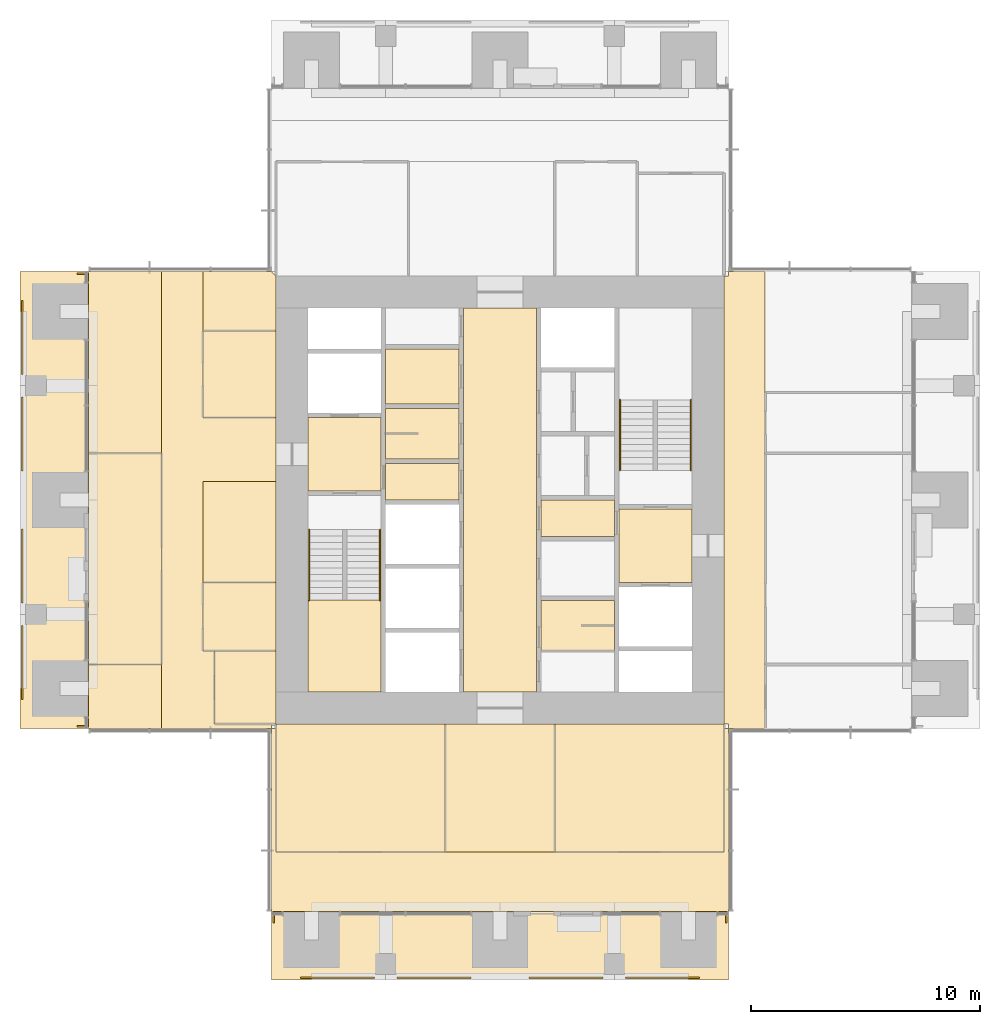
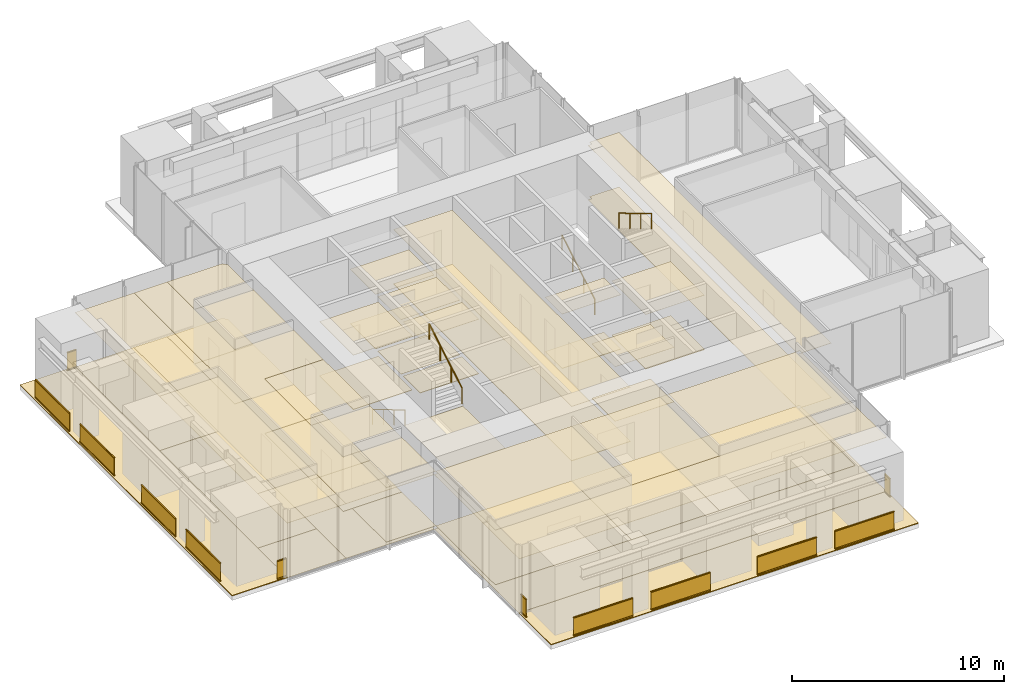
# One storey, part 15 of 17: 47 coverings, 16 railings.
"""IFC4 building model written with IfcOpenShell, lengths in metres."""

from ifc_helpers import new_model, si_unit, direction, frame, origin, origin_2d, place, context, subcontext, project, spatial, polyline, rectangle, circle, outline, extrude, material, layer, layer_set, type_object, element, save


model = new_model("IFC4")

# Units and contexts
model_context = context("Model", 3, precision=1e-05, world=origin(), true_north=direction((0.0, 1.0)))
body_context = subcontext(model_context, "Body", "Model", "MODEL_VIEW")
ifc_project = project(units=[si_unit("LENGTHUNIT", "METRE"), si_unit("AREAUNIT", "SQUARE_METRE"), si_unit("VOLUMEUNIT", "CUBIC_METRE"), si_unit("PLANEANGLEUNIT", "RADIAN"), si_unit("MASSUNIT", "GRAM", prefix="KILO")], contexts=[model_context])

# Site, building, storey
site_placement = place(None, origin())
site = spatial("IfcSite", under=ifc_project, at=site_placement, CompositionType="ELEMENT")
building_placement = place(site_placement, origin())
building = spatial("IfcBuilding", under=site, at=building_placement, Name="Svetlomir Tower", CompositionType="ELEMENT")
storey_placement = place(building_placement, frame((0.0, 0.0, 210.5)))
storey = spatial("IfcBuildingStorey", under=building, at=storey_placement, Name="L50", CompositionType="ELEMENT", Elevation=210.5)

# Railings
ifc_material_1 = material(Name="Bronze anodised aluminium and laminated glass", Category="aluminium")
railing_type_1 = type_object("IfcRailingType", Name="BALCONY GUARD GR1 1100", PredefinedType="GUARDRAIL", material=ifc_material_1)
for number, where, name in (
    (1, (12.27490234375, 0.10009765625, 0.0), "Loggia guard S L50 bay 1"),
    (2, (16.5, 0.10009765625, 0.0), "Loggia guard S L50 bay 2"),
    (3, (22.27490234375, 0.10009765625, 0.0), "Loggia guard S L50 bay 3"),
    (4, (26.5, 0.10009765625, 0.0), "Loggia guard S L50 bay 4"),
):
    element("IfcRailing", number, at=place(storey_placement, frame(where)), inside=storey, type_object=railing_type_1, Name=name, PredefinedType="GUARDRAIL", context=body_context, shape_type="SweptSolid", body=[
        extrude(rectangle(XDim=0.06005859375, YDim=0.10009765625, at=origin_2d()), frame((0.0, 0.0, 0.050048828125), z_axis=(1.0, 0.0, 0.0), x_axis=(0.0, 1.0, 0.0)), (0.0, 0.0, 1.0), 3.22509765625),
        extrude(rectangle(XDim=0.021484375, YDim=0.960205078125, at=origin_2d()), frame((0.0, 0.0, 0.580078125), z_axis=(1.0, 0.0, 0.0), x_axis=(0.0, 1.0, 0.0)), (0.0, 0.0, 1.0), 3.22509765625),
        extrude(rectangle(XDim=0.06005859375, YDim=0.0400390625, at=origin_2d()), frame((0.0, 0.0, 1.080078125), z_axis=(1.0, 0.0, 0.0), x_axis=(0.0, 1.0, 0.0)), (0.0, 0.0, 1.0), 3.22509765625),
    ])
for number, where, name in (
    (5, (11.10009765625, 2.5, 0.0), "Loggia guard S L50 end 1"),
    (6, (30.89990234375, 2.5, 0.0), "Loggia guard S L50 end 2"),
):
    element("IfcRailing", number, at=place(storey_placement, frame(where)), inside=storey, type_object=railing_type_1, Name=name, PredefinedType="GUARDRAIL", context=body_context, shape_type="SweptSolid", body=[
        extrude(rectangle(XDim=0.06005859375, YDim=0.10009765625, at=origin_2d()), frame((0.0, 0.0, 0.050048828125), z_axis=(0.0, 1.0, 0.0), x_axis=(-1.0, 0.0, 0.0)), (0.0, 0.0, 1.0), 0.5),
        extrude(rectangle(XDim=0.021484375, YDim=0.960205078125, at=origin_2d()), frame((0.0, 0.0, 0.580078125), z_axis=(0.0, 1.0, 0.0), x_axis=(-1.0, 0.0, 0.0)), (0.0, 0.0, 1.0), 0.5),
        extrude(rectangle(XDim=0.06005859375, YDim=0.0400390625, at=origin_2d()), frame((0.0, 0.0, 1.080078125), z_axis=(0.0, 1.0, 0.0), x_axis=(-1.0, 0.0, 0.0)), (0.0, 0.0, 1.0), 0.5),
    ])
for number, where, name in (
    (7, (0.10009765625, 12.27490234375, 0.0), "Loggia guard W L50 bay 1"),
    (8, (0.10009765625, 16.5, 0.0), "Loggia guard W L50 bay 2"),
    (9, (0.10009765625, 22.27490234375, 0.0), "Loggia guard W L50 bay 3"),
    (10, (0.10009765625, 26.5, 0.0), "Loggia guard W L50 bay 4"),
):
    element("IfcRailing", number, at=place(storey_placement, frame(where)), inside=storey, type_object=railing_type_1, Name=name, PredefinedType="GUARDRAIL", context=body_context, shape_type="SweptSolid", body=[
        extrude(rectangle(XDim=0.06005859375, YDim=0.10009765625, at=origin_2d()), frame((0.0, 0.0, 0.050048828125), z_axis=(0.0, 1.0, 0.0), x_axis=(-1.0, 0.0, 0.0)), (0.0, 0.0, 1.0), 3.22509765625),
        extrude(rectangle(XDim=0.021484375, YDim=0.960205078125, at=origin_2d()), frame((0.0, 0.0, 0.580078125), z_axis=(0.0, 1.0, 0.0), x_axis=(-1.0, 0.0, 0.0)), (0.0, 0.0, 1.0), 3.22509765625),
        extrude(rectangle(XDim=0.06005859375, YDim=0.0400390625, at=origin_2d()), frame((0.0, 0.0, 1.080078125), z_axis=(0.0, 1.0, 0.0), x_axis=(-1.0, 0.0, 0.0)), (0.0, 0.0, 1.0), 3.22509765625),
    ])
for number, where, name in (
    (11, (2.5, 11.10009765625, 0.0), "Loggia guard W L50 end 1"),
    (12, (2.5, 30.89990234375, 0.0), "Loggia guard W L50 end 2"),
):
    element("IfcRailing", number, at=place(storey_placement, frame(where)), inside=storey, type_object=railing_type_1, Name=name, PredefinedType="GUARDRAIL", context=body_context, shape_type="SweptSolid", body=[
        extrude(rectangle(XDim=0.06005859375, YDim=0.10009765625, at=origin_2d()), frame((0.0, 0.0, 0.050048828125), z_axis=(1.0, 0.0, 0.0), x_axis=(0.0, 1.0, 0.0)), (0.0, 0.0, 1.0), 0.5),
        extrude(rectangle(XDim=0.021484375, YDim=0.960205078125, at=origin_2d()), frame((0.0, 0.0, 0.580078125), z_axis=(1.0, 0.0, 0.0), x_axis=(0.0, 1.0, 0.0)), (0.0, 0.0, 1.0), 0.5),
        extrude(rectangle(XDim=0.06005859375, YDim=0.0400390625, at=origin_2d()), frame((0.0, 0.0, 1.080078125), z_axis=(1.0, 0.0, 0.0), x_axis=(0.0, 1.0, 0.0)), (0.0, 0.0, 1.0), 0.5),
    ])

# Coverings
ifc_material_2 = material(Name="Granite paving slabs on pedestals", Category="masonry")
ifc_layer_1 = layer(ifc_material_2, 0.0400390625)
ifc_layer_set_1 = layer_set([ifc_layer_1], Name="Granite paving slabs on pedestals")
covering_type_1 = type_object("IfcCoveringType", Name="BALCONY PAVING 40", PredefinedType="USERDEFINED", material=ifc_layer_set_1)
covering_1_placement = place(storey_placement, origin())
element("IfcCovering", 13, at=covering_1_placement, inside=storey, type_object=covering_type_1, Name="Loggia paving S L50", ObjectType="BALCONY PAVING", PredefinedType="USERDEFINED", context=body_context, shape_type="SweptSolid", body=[
    extrude(outline(polyline([(11.0, 0.0), (31.0, 0.0), (31.0, 3.0), (11.0, 3.0), (11.0, 0.0)])), origin(), (0.0, 0.0, 1.0), 0.0400390625),
])
covering_2_placement = place(storey_placement, origin())
element("IfcCovering", 14, at=covering_2_placement, inside=storey, type_object=covering_type_1, Name="Loggia paving W L50", ObjectType="BALCONY PAVING", PredefinedType="USERDEFINED", context=body_context, shape_type="SweptSolid", body=[
    extrude(outline(polyline([(0.0, 11.0), (3.0, 11.0), (3.0, 31.0), (0.0, 31.0), (0.0, 11.0)])), origin(), (0.0, 0.0, 1.0), 0.0400390625),
])
ifc_material_3 = material(Name="Carpet tile", Category="textile")
ifc_layer_2 = layer(ifc_material_3, 0.010009765625)
ifc_layer_set_2 = layer_set([ifc_layer_2], Name="Carpet tile")
covering_type_2 = type_object("IfcCoveringType", Name="CARPET TILE FLOOR 10", PredefinedType="FLOORING", material=ifc_layer_set_2)
covering_3_placement = place(storey_placement, origin())
element("IfcCovering", 15, at=covering_3_placement, inside=storey, type_object=covering_type_2, Name="Floor finish L50-18", PredefinedType="FLOORING", context=body_context, shape_type="SweptSolid", body=[
    extrude(outline(polyline([(11.199951171875, 5.60009765625), (18.60009765625, 5.60009765625), (18.60009765625, 11.199951171875), (11.199951171875, 11.199951171875), (11.199951171875, 5.60009765625)])), origin(), (0.0, 0.0, 1.0), 0.010009765625),
])
covering_4_placement = place(storey_placement, origin())
element("IfcCovering", 16, at=covering_4_placement, inside=storey, type_object=covering_type_2, Name="Floor finish L50-19", PredefinedType="FLOORING", context=body_context, shape_type="SweptSolid", body=[
    extrude(outline(polyline([(23.39990234375, 5.60009765625), (30.800048828125, 5.60009765625), (30.800048828125, 11.199951171875), (23.39990234375, 11.199951171875), (23.39990234375, 5.60009765625)])), origin(), (0.0, 0.0, 1.0), 0.010009765625),
])
covering_5_placement = place(storey_placement, origin())
element("IfcCovering", 17, at=covering_5_placement, inside=storey, type_object=covering_type_2, Name="Floor finish L50-26", PredefinedType="FLOORING", context=body_context, shape_type="SweptSolid", body=[
    extrude(outline(polyline([(8.5, 11.199951171875), (11.199951171875, 11.199951171875), (11.199951171875, 14.39990234375), (8.5, 14.39990234375), (8.5, 11.199951171875)])), origin(), (0.0, 0.0, 1.0), 0.010009765625),
])
covering_6_placement = place(storey_placement, origin())
element("IfcCovering", 18, at=covering_6_placement, inside=storey, type_object=covering_type_2, Name="Floor finish L50-27", PredefinedType="FLOORING", context=body_context, shape_type="SweptSolid", body=[
    extrude(outline(polyline([(8.0, 14.39990234375), (11.199951171875, 14.39990234375), (11.199951171875, 17.39990234375), (8.0, 17.39990234375), (8.0, 14.39990234375)])), origin(), (0.0, 0.0, 1.0), 0.010009765625),
])
covering_7_placement = place(storey_placement, origin())
element("IfcCovering", 19, at=covering_7_placement, inside=storey, type_object=covering_type_2, Name="Floor finish L50-28", PredefinedType="FLOORING", context=body_context, shape_type="SweptSolid", body=[
    extrude(outline(polyline([(8.0, 24.60009765625), (11.199951171875, 24.60009765625), (11.199951171875, 28.39990234375), (8.0, 28.39990234375), (8.0, 24.60009765625)])), origin(), (0.0, 0.0, 1.0), 0.010009765625),
])
covering_8_placement = place(storey_placement, origin())
element("IfcCovering", 20, at=covering_8_placement, inside=storey, type_object=covering_type_2, Name="Floor finish L50-29", PredefinedType="FLOORING", context=body_context, shape_type="SweptSolid", body=[
    extrude(outline(polyline([(3.0, 13.800048828125), (6.199951171875, 13.800048828125), (6.199951171875, 23.050048828125), (3.0, 23.050048828125), (3.0, 13.800048828125)])), origin(), (0.0, 0.0, 1.0), 0.010009765625),
])
covering_9_placement = place(storey_placement, origin())
element("IfcCovering", 21, at=covering_9_placement, inside=storey, type_object=covering_type_2, Name="Floor finish L50-30", PredefinedType="FLOORING", context=body_context, shape_type="SweptSolid", body=[
    extrude(outline(polyline([(6.199951171875, 11.0), (6.199951171875, 31.0), (8.0, 31.0), (8.0, 24.60009765625), (11.199951171875, 24.60009765625), (11.199951171875, 21.800048828125), (8.0, 21.800048828125), (8.0, 14.39990234375), (8.5, 14.39990234375), (8.5, 11.199951171875), (11.0, 11.199951171875), (11.0, 11.0), (6.199951171875, 11.0)])), origin(), (0.0, 0.0, 1.0), 0.010009765625),
])
covering_10_placement = place(storey_placement, origin())
element("IfcCovering", 22, at=covering_10_placement, inside=storey, type_object=covering_type_2, Name="Floor finish L50-31", PredefinedType="FLOORING", context=body_context, shape_type="SweptSolid", body=[
    extrude(outline(polyline([(11.199951171875, 5.60009765625), (30.800048828125, 5.60009765625), (30.800048828125, 11.0), (31.0, 11.0), (31.0, 3.0), (11.0, 3.0), (11.0, 11.0), (11.199951171875, 11.0), (11.199951171875, 5.60009765625)])), origin(), (0.0, 0.0, 1.0), 0.010009765625),
])
covering_11_placement = place(storey_placement, origin())
element("IfcCovering", 23, at=covering_11_placement, inside=storey, type_object=covering_type_2, Name="Floor finish L50-32", PredefinedType="FLOORING", context=body_context, shape_type="SweptSolid", body=[
    extrude(outline(polyline([(30.800048828125, 11.199951171875), (30.800048828125, 30.800048828125), (31.0, 30.800048828125), (31.0, 31.0), (32.60009765625, 31.0), (32.60009765625, 11.0), (31.0, 11.0), (31.0, 11.199951171875), (30.800048828125, 11.199951171875)])), origin(), (0.0, 0.0, 1.0), 0.010009765625),
])
covering_12_placement = place(storey_placement, origin())
element("IfcCovering", 24, at=covering_12_placement, inside=storey, type_object=covering_type_2, Name="Floor finish L50-34", PredefinedType="FLOORING", context=body_context, shape_type="SweptSolid", body=[
    extrude(outline(polyline([(23.39990234375, 11.199951171875), (23.39990234375, 5.60009765625), (18.60009765625, 5.60009765625), (18.60009765625, 11.199951171875), (23.39990234375, 11.199951171875)])), origin(), (0.0, 0.0, 1.0), 0.010009765625),
])
covering_13_placement = place(storey_placement, origin())
element("IfcCovering", 25, at=covering_13_placement, inside=storey, type_object=covering_type_2, Name="Floor finish L50-38", PredefinedType="FLOORING", context=body_context, shape_type="SweptSolid", body=[
    extrude(outline(polyline([(3.0, 13.800048828125), (6.199951171875, 13.800048828125), (6.199951171875, 11.0), (3.0, 11.0), (3.0, 13.800048828125)])), origin(), (0.0, 0.0, 1.0), 0.010009765625),
])
covering_14_placement = place(storey_placement, origin())
element("IfcCovering", 26, at=covering_14_placement, inside=storey, type_object=covering_type_2, Name="Floor finish L50-39", PredefinedType="FLOORING", context=body_context, shape_type="SweptSolid", body=[
    extrude(outline(polyline([(3.0, 31.0), (6.199951171875, 31.0), (6.199951171875, 23.050048828125), (3.0, 23.050048828125), (3.0, 31.0)])), origin(), (0.0, 0.0, 1.0), 0.010009765625),
])
covering_15_placement = place(storey_placement, origin())
element("IfcCovering", 27, at=covering_15_placement, inside=storey, type_object=covering_type_2, Name="Floor finish L50-40", PredefinedType="FLOORING", context=body_context, shape_type="SweptSolid", body=[
    extrude(outline(polyline([(11.199951171875, 28.39990234375), (8.0, 28.39990234375), (8.0, 31.0), (11.0, 31.0), (11.199951171875, 30.800048828125), (11.199951171875, 28.39990234375)])), origin(), (0.0, 0.0, 1.0), 0.010009765625),
])
covering_16_placement = place(storey_placement, origin())
element("IfcCovering", 28, at=covering_16_placement, inside=storey, type_object=covering_type_2, Name="Floor finish L50-41", PredefinedType="FLOORING", context=body_context, shape_type="SweptSolid", body=[
    extrude(outline(polyline([(8.0, 17.39990234375), (8.0, 21.800048828125), (11.199951171875, 21.800048828125), (11.199951171875, 17.39990234375), (8.0, 17.39990234375)])), origin(), (0.0, 0.0, 1.0), 0.010009765625),
])
ifc_material_4 = material(Name="Ceramic floor tile", Category="ceramic")
ifc_layer_3 = layer(ifc_material_4, 0.014892578125)
ifc_layer_set_3 = layer_set([ifc_layer_3], Name="Ceramic floor tile")
covering_type_3 = type_object("IfcCoveringType", Name="CERAMIC TILE FLOOR 15", PredefinedType="FLOORING", material=ifc_layer_set_3)
covering_17_placement = place(storey_placement, origin())
element("IfcCovering", 29, at=covering_17_placement, inside=storey, type_object=covering_type_3, Name="Floor finish L50-04", PredefinedType="FLOORING", context=body_context, shape_type="SweptSolid", body=[
    extrude(outline(polyline([(16.0, 22.800048828125), (19.199951171875, 22.800048828125), (19.199951171875, 25.0), (16.0, 25.0), (16.0, 22.800048828125)])), origin(), (0.0, 0.0, 1.0), 0.014892578125),
])
covering_18_placement = place(storey_placement, origin())
element("IfcCovering", 30, at=covering_18_placement, inside=storey, type_object=covering_type_3, Name="Floor finish L50-05", PredefinedType="FLOORING", context=body_context, shape_type="SweptSolid", body=[
    extrude(outline(polyline([(16.0, 25.199951171875), (19.199951171875, 25.199951171875), (19.199951171875, 27.60009765625), (16.0, 27.60009765625), (16.0, 25.199951171875)])), origin(), (0.0, 0.0, 1.0), 0.014892578125),
])
covering_19_placement = place(storey_placement, origin())
element("IfcCovering", 31, at=covering_19_placement, inside=storey, type_object=covering_type_3, Name="Floor finish L50-09", PredefinedType="FLOORING", context=body_context, shape_type="SweptSolid", body=[
    extrude(outline(polyline([(22.800048828125, 14.39990234375), (26.0, 14.39990234375), (26.0, 16.60009765625), (22.800048828125, 16.60009765625), (22.800048828125, 14.39990234375)])), origin(), (0.0, 0.0, 1.0), 0.014892578125),
])

# Railings
ifc_material_5 = material(Name="Stainless steel", Category="steel")
railing_type_2 = type_object("IfcRailingType", Name="HANDRAIL HR1 900", PredefinedType="HANDRAIL", material=ifc_material_5)
railing_1_placement = place(storey_placement, frame((12.64990234375, 19.699951171875, 0.166748046875)))
element("IfcRailing", 32, at=railing_1_placement, inside=storey, type_object=railing_type_2, Name="Handrail S1 flight 1 L50", PredefinedType="HANDRAIL", context=body_context, shape_type="SweptSolid", body=[
    extrude(circle(Radius=0.02392578125, at=origin_2d()), frame((0.0, 0.0, 0.8759765625), z_axis=(0.0, -0.859290745958, 0.51148745235), x_axis=(1.0, 0.0, 0.0)), (0.0, 0.0, 1.0), 3.584228515625),
    extrude(circle(Radius=0.02099609375, at=origin_2d()), origin(), (0.0, 0.0, 1.0), 0.851806640625),
    extrude(circle(Radius=0.02099609375, at=origin_2d()), frame((0.0, -1.026611328125, 0.611083984375)), (0.0, 0.0, 1.0), 0.851806640625),
    extrude(circle(Radius=0.02099609375, at=origin_2d()), frame((0.0, -2.05322265625, 1.22216796875)), (0.0, 0.0, 1.0), 0.851806640625),
    extrude(circle(Radius=0.02099609375, at=origin_2d()), frame((0.0, -3.079833984375, 1.833251953125)), (0.0, 0.0, 1.0), 0.851806640625),
])
for number, where, name in (
    (33, (15.75, 16.6201171875, 2.166748046875), "Handrail S1 flight 2 L50"),
    (34, (26.25, 22.300048828125, 0.166748046875), "Handrail S2 flight 1 L50"),
):
    element("IfcRailing", number, at=place(storey_placement, frame(where)), inside=storey, type_object=railing_type_2, Name=name, PredefinedType="HANDRAIL", context=body_context, shape_type="SweptSolid", body=[
        extrude(circle(Radius=0.02392578125, at=origin_2d()), frame((0.0, 0.0, 0.8759765625), z_axis=(0.0, 0.859290745958, 0.51148745235), x_axis=(-1.0, 0.0, 0.0)), (0.0, 0.0, 1.0), 3.584228515625),
        extrude(circle(Radius=0.02099609375, at=origin_2d()), origin(), (0.0, 0.0, 1.0), 0.851806640625),
        extrude(circle(Radius=0.02099609375, at=origin_2d()), frame((0.0, 1.026611328125, 0.611083984375)), (0.0, 0.0, 1.0), 0.851806640625),
        extrude(circle(Radius=0.02099609375, at=origin_2d()), frame((0.0, 2.05322265625, 1.22216796875)), (0.0, 0.0, 1.0), 0.851806640625),
        extrude(circle(Radius=0.02099609375, at=origin_2d()), frame((0.0, 3.079833984375, 1.833251953125)), (0.0, 0.0, 1.0), 0.851806640625),
    ])
railing_2_placement = place(storey_placement, frame((29.35009765625, 25.3798828125, 2.166748046875)))
element("IfcRailing", 35, at=railing_2_placement, inside=storey, type_object=railing_type_2, Name="Handrail S2 flight 2 L50", PredefinedType="HANDRAIL", context=body_context, shape_type="SweptSolid", body=[
    extrude(circle(Radius=0.02392578125, at=origin_2d()), frame((0.0, 0.0, 0.8759765625), z_axis=(0.0, -0.859290745958, 0.51148745235), x_axis=(1.0, 0.0, 0.0)), (0.0, 0.0, 1.0), 3.584228515625),
    extrude(circle(Radius=0.02099609375, at=origin_2d()), origin(), (0.0, 0.0, 1.0), 0.851806640625),
    extrude(circle(Radius=0.02099609375, at=origin_2d()), frame((0.0, -1.026611328125, 0.611083984375)), (0.0, 0.0, 1.0), 0.851806640625),
    extrude(circle(Radius=0.02099609375, at=origin_2d()), frame((0.0, -2.05322265625, 1.22216796875)), (0.0, 0.0, 1.0), 0.851806640625),
    extrude(circle(Radius=0.02099609375, at=origin_2d()), frame((0.0, -3.079833984375, 1.833251953125)), (0.0, 0.0, 1.0), 0.851806640625),
])

# Coverings
ifc_material_6 = material(Name="Moisture resistant plasterboard ceiling", Category="gypsum")
ifc_layer_4 = layer(ifc_material_6, 0.012451171875)
ifc_layer_set_4 = layer_set([ifc_layer_4], Name="Moisture resistant plasterboard ceiling")
covering_type_4 = type_object("IfcCoveringType", Name="MOISTURE RESISTANT CEILING 12.5", PredefinedType="CEILING", material=ifc_layer_set_4)
covering_20_placement = place(storey_placement, frame((0.0, 0.0, 3.137451171875)))
element("IfcCovering", 36, at=covering_20_placement, inside=storey, type_object=covering_type_4, Name="Ceiling L50-04", PredefinedType="CEILING", context=body_context, shape_type="SweptSolid", body=[
    extrude(outline(polyline([(16.0, 22.800048828125), (19.199951171875, 22.800048828125), (19.199951171875, 25.0), (16.0, 25.0), (16.0, 22.800048828125)])), origin(), (0.0, 0.0, 1.0), 0.012451171875),
])
covering_21_placement = place(storey_placement, frame((0.0, 0.0, 3.137451171875)))
element("IfcCovering", 37, at=covering_21_placement, inside=storey, type_object=covering_type_4, Name="Ceiling L50-05", PredefinedType="CEILING", context=body_context, shape_type="SweptSolid", body=[
    extrude(outline(polyline([(16.0, 25.199951171875), (19.199951171875, 25.199951171875), (19.199951171875, 27.60009765625), (16.0, 27.60009765625), (16.0, 25.199951171875)])), origin(), (0.0, 0.0, 1.0), 0.012451171875),
])
covering_22_placement = place(storey_placement, frame((0.0, 0.0, 3.137451171875)))
element("IfcCovering", 38, at=covering_22_placement, inside=storey, type_object=covering_type_4, Name="Ceiling L50-09", PredefinedType="CEILING", context=body_context, shape_type="SweptSolid", body=[
    extrude(outline(polyline([(22.800048828125, 14.39990234375), (26.0, 14.39990234375), (26.0, 16.60009765625), (22.800048828125, 16.60009765625), (22.800048828125, 14.39990234375)])), origin(), (0.0, 0.0, 1.0), 0.012451171875),
])
ifc_material_7 = material(Name="Gypsum plasterboard ceiling", Category="gypsum")
ifc_layer_5 = layer(ifc_material_7, 0.014892578125)
ifc_layer_set_5 = layer_set([ifc_layer_5], Name="Gypsum plasterboard ceiling")
covering_type_5 = type_object("IfcCoveringType", Name="PLASTERBOARD CEILING 15", PredefinedType="CEILING", material=ifc_layer_set_5)
covering_23_placement = place(storey_placement, frame((0.0, 0.0, 3.135009765625)))
element("IfcCovering", 39, at=covering_23_placement, inside=storey, type_object=covering_type_5, Name="Ceiling L50-02", PredefinedType="CEILING", context=body_context, shape_type="SweptSolid", body=[
    extrude(outline(polyline([(12.60009765625, 21.39990234375), (15.800048828125, 21.39990234375), (15.800048828125, 24.60009765625), (12.60009765625, 24.60009765625), (12.60009765625, 21.39990234375)])), origin(), (0.0, 0.0, 1.0), 0.014892578125),
])
covering_24_placement = place(storey_placement, frame((0.0, 0.0, 3.135009765625)))
element("IfcCovering", 40, at=covering_24_placement, inside=storey, type_object=covering_type_5, Name="Ceiling L50-03", PredefinedType="CEILING", context=body_context, shape_type="SweptSolid", body=[
    extrude(outline(polyline([(16.0, 21.0), (19.199951171875, 21.0), (19.199951171875, 22.60009765625), (16.0, 22.60009765625), (16.0, 21.0)])), origin(), (0.0, 0.0, 1.0), 0.014892578125),
])
covering_25_placement = place(storey_placement, frame((0.0, 0.0, 3.135009765625)))
element("IfcCovering", 41, at=covering_25_placement, inside=storey, type_object=covering_type_5, Name="Ceiling L50-07", PredefinedType="CEILING", context=body_context, shape_type="SweptSolid", body=[
    extrude(outline(polyline([(19.39990234375, 12.60009765625), (22.60009765625, 12.60009765625), (22.60009765625, 29.39990234375), (19.39990234375, 29.39990234375), (19.39990234375, 12.60009765625)])), origin(), (0.0, 0.0, 1.0), 0.014892578125),
])
covering_26_placement = place(storey_placement, frame((0.0, 0.0, 3.135009765625)))
element("IfcCovering", 42, at=covering_26_placement, inside=storey, type_object=covering_type_5, Name="Ceiling L50-11", PredefinedType="CEILING", context=body_context, shape_type="SweptSolid", body=[
    extrude(outline(polyline([(22.800048828125, 19.39990234375), (26.0, 19.39990234375), (26.0, 21.0), (22.800048828125, 21.0), (22.800048828125, 19.39990234375)])), origin(), (0.0, 0.0, 1.0), 0.014892578125),
])
covering_27_placement = place(storey_placement, frame((0.0, 0.0, 3.135009765625)))
element("IfcCovering", 43, at=covering_27_placement, inside=storey, type_object=covering_type_5, Name="Ceiling L50-12", PredefinedType="CEILING", context=body_context, shape_type="SweptSolid", body=[
    extrude(outline(polyline([(26.199951171875, 17.39990234375), (29.39990234375, 17.39990234375), (29.39990234375, 20.60009765625), (26.199951171875, 20.60009765625), (26.199951171875, 17.39990234375)])), origin(), (0.0, 0.0, 1.0), 0.014892578125),
])
ifc_material_8 = material(Name="Studded rubber floor finish", Category="rubber")
ifc_layer_6 = layer(ifc_material_8, 0.006103515625)
ifc_layer_set_6 = layer_set([ifc_layer_6], Name="Studded rubber floor finish")
covering_type_6 = type_object("IfcCoveringType", Name="RUBBER LANDING FINISH 6", PredefinedType="FLOORING", material=ifc_layer_set_6)
covering_28_placement = place(storey_placement, frame((0.0, 0.0, 2.0)))
element("IfcCovering", 44, at=covering_28_placement, inside=storey, type_object=covering_type_6, Name="Stair S1 landing finish L50", PredefinedType="FLOORING", context=body_context, shape_type="SweptSolid", body=[
    extrude(outline(polyline([(12.60009765625, 12.60009765625), (15.800048828125, 12.60009765625), (15.800048828125, 16.6201171875), (12.60009765625, 16.6201171875), (12.60009765625, 12.60009765625)])), origin(), (0.0, 0.0, 1.0), 0.006103515625),
])
ifc_material_9 = material(Name="Mineral fibre ceiling tile", Category="mineral")
ifc_layer_7 = layer(ifc_material_9, 0.02001953125)
ifc_layer_set_7 = layer_set([ifc_layer_7], Name="Mineral fibre ceiling tile")
covering_type_7 = type_object("IfcCoveringType", Name="SUSPENDED CEILING 20", PredefinedType="CEILING", material=ifc_layer_set_7)
covering_29_placement = place(storey_placement, frame((0.0, 0.0, 3.1298828125)))
element("IfcCovering", 45, at=covering_29_placement, inside=storey, type_object=covering_type_7, Name="Ceiling L50-18", PredefinedType="CEILING", context=body_context, shape_type="SweptSolid", body=[
    extrude(outline(polyline([(11.199951171875, 5.60009765625), (18.60009765625, 5.60009765625), (18.60009765625, 11.199951171875), (11.199951171875, 11.199951171875), (11.199951171875, 5.60009765625)])), origin(), (0.0, 0.0, 1.0), 0.02001953125),
])
covering_30_placement = place(storey_placement, frame((0.0, 0.0, 3.1298828125)))
element("IfcCovering", 46, at=covering_30_placement, inside=storey, type_object=covering_type_7, Name="Ceiling L50-19", PredefinedType="CEILING", context=body_context, shape_type="SweptSolid", body=[
    extrude(outline(polyline([(23.39990234375, 5.60009765625), (30.800048828125, 5.60009765625), (30.800048828125, 11.199951171875), (23.39990234375, 11.199951171875), (23.39990234375, 5.60009765625)])), origin(), (0.0, 0.0, 1.0), 0.02001953125),
])
covering_31_placement = place(storey_placement, frame((0.0, 0.0, 3.1298828125)))
element("IfcCovering", 47, at=covering_31_placement, inside=storey, type_object=covering_type_7, Name="Ceiling L50-26", PredefinedType="CEILING", context=body_context, shape_type="SweptSolid", body=[
    extrude(outline(polyline([(8.5, 11.199951171875), (11.199951171875, 11.199951171875), (11.199951171875, 14.39990234375), (8.5, 14.39990234375), (8.5, 11.199951171875)])), origin(), (0.0, 0.0, 1.0), 0.02001953125),
])
covering_32_placement = place(storey_placement, frame((0.0, 0.0, 3.1298828125)))
element("IfcCovering", 48, at=covering_32_placement, inside=storey, type_object=covering_type_7, Name="Ceiling L50-27", PredefinedType="CEILING", context=body_context, shape_type="SweptSolid", body=[
    extrude(outline(polyline([(8.0, 14.39990234375), (11.199951171875, 14.39990234375), (11.199951171875, 17.39990234375), (8.0, 17.39990234375), (8.0, 14.39990234375)])), origin(), (0.0, 0.0, 1.0), 0.02001953125),
])
covering_33_placement = place(storey_placement, frame((0.0, 0.0, 3.1298828125)))
element("IfcCovering", 49, at=covering_33_placement, inside=storey, type_object=covering_type_7, Name="Ceiling L50-28", PredefinedType="CEILING", context=body_context, shape_type="SweptSolid", body=[
    extrude(outline(polyline([(8.0, 24.60009765625), (11.199951171875, 24.60009765625), (11.199951171875, 28.39990234375), (8.0, 28.39990234375), (8.0, 24.60009765625)])), origin(), (0.0, 0.0, 1.0), 0.02001953125),
])
covering_34_placement = place(storey_placement, frame((0.0, 0.0, 3.1298828125)))
element("IfcCovering", 50, at=covering_34_placement, inside=storey, type_object=covering_type_7, Name="Ceiling L50-29", PredefinedType="CEILING", context=body_context, shape_type="SweptSolid", body=[
    extrude(outline(polyline([(3.0, 13.800048828125), (6.199951171875, 13.800048828125), (6.199951171875, 23.050048828125), (3.0, 23.050048828125), (3.0, 13.800048828125)])), origin(), (0.0, 0.0, 1.0), 0.02001953125),
])
covering_35_placement = place(storey_placement, frame((0.0, 0.0, 3.1298828125)))
element("IfcCovering", 51, at=covering_35_placement, inside=storey, type_object=covering_type_7, Name="Ceiling L50-30", PredefinedType="CEILING", context=body_context, shape_type="SweptSolid", body=[
    extrude(outline(polyline([(6.199951171875, 11.0), (6.199951171875, 31.0), (8.0, 31.0), (8.0, 24.60009765625), (11.199951171875, 24.60009765625), (11.199951171875, 21.800048828125), (8.0, 21.800048828125), (8.0, 14.39990234375), (8.5, 14.39990234375), (8.5, 11.199951171875), (11.0, 11.199951171875), (11.0, 11.0), (6.199951171875, 11.0)])), origin(), (0.0, 0.0, 1.0), 0.02001953125),
])
covering_36_placement = place(storey_placement, frame((0.0, 0.0, 3.1298828125)))
element("IfcCovering", 52, at=covering_36_placement, inside=storey, type_object=covering_type_7, Name="Ceiling L50-31", PredefinedType="CEILING", context=body_context, shape_type="SweptSolid", body=[
    extrude(outline(polyline([(11.199951171875, 5.60009765625), (30.800048828125, 5.60009765625), (30.800048828125, 11.0), (31.0, 11.0), (31.0, 3.0), (11.0, 3.0), (11.0, 11.0), (11.199951171875, 11.0), (11.199951171875, 5.60009765625)])), origin(), (0.0, 0.0, 1.0), 0.02001953125),
])
covering_37_placement = place(storey_placement, frame((0.0, 0.0, 3.1298828125)))
element("IfcCovering", 53, at=covering_37_placement, inside=storey, type_object=covering_type_7, Name="Ceiling L50-32", PredefinedType="CEILING", context=body_context, shape_type="SweptSolid", body=[
    extrude(outline(polyline([(30.800048828125, 11.199951171875), (30.800048828125, 30.800048828125), (31.0, 30.800048828125), (31.0, 31.0), (32.60009765625, 31.0), (32.60009765625, 11.0), (31.0, 11.0), (31.0, 11.199951171875), (30.800048828125, 11.199951171875)])), origin(), (0.0, 0.0, 1.0), 0.02001953125),
])
covering_38_placement = place(storey_placement, frame((0.0, 0.0, 3.1298828125)))
element("IfcCovering", 54, at=covering_38_placement, inside=storey, type_object=covering_type_7, Name="Ceiling L50-34", PredefinedType="CEILING", context=body_context, shape_type="SweptSolid", body=[
    extrude(outline(polyline([(23.39990234375, 11.199951171875), (23.39990234375, 5.60009765625), (18.60009765625, 5.60009765625), (18.60009765625, 11.199951171875), (23.39990234375, 11.199951171875)])), origin(), (0.0, 0.0, 1.0), 0.02001953125),
])
covering_39_placement = place(storey_placement, frame((0.0, 0.0, 3.1298828125)))
element("IfcCovering", 55, at=covering_39_placement, inside=storey, type_object=covering_type_7, Name="Ceiling L50-38", PredefinedType="CEILING", context=body_context, shape_type="SweptSolid", body=[
    extrude(outline(polyline([(3.0, 13.800048828125), (6.199951171875, 13.800048828125), (6.199951171875, 11.0), (3.0, 11.0), (3.0, 13.800048828125)])), origin(), (0.0, 0.0, 1.0), 0.02001953125),
])
covering_40_placement = place(storey_placement, frame((0.0, 0.0, 3.1298828125)))
element("IfcCovering", 56, at=covering_40_placement, inside=storey, type_object=covering_type_7, Name="Ceiling L50-39", PredefinedType="CEILING", context=body_context, shape_type="SweptSolid", body=[
    extrude(outline(polyline([(3.0, 31.0), (6.199951171875, 31.0), (6.199951171875, 23.050048828125), (3.0, 23.050048828125), (3.0, 31.0)])), origin(), (0.0, 0.0, 1.0), 0.02001953125),
])
covering_41_placement = place(storey_placement, frame((0.0, 0.0, 3.1298828125)))
element("IfcCovering", 57, at=covering_41_placement, inside=storey, type_object=covering_type_7, Name="Ceiling L50-40", PredefinedType="CEILING", context=body_context, shape_type="SweptSolid", body=[
    extrude(outline(polyline([(11.199951171875, 28.39990234375), (8.0, 28.39990234375), (8.0, 31.0), (11.0, 31.0), (11.199951171875, 30.800048828125), (11.199951171875, 28.39990234375)])), origin(), (0.0, 0.0, 1.0), 0.02001953125),
])
covering_42_placement = place(storey_placement, frame((0.0, 0.0, 3.1298828125)))
element("IfcCovering", 58, at=covering_42_placement, inside=storey, type_object=covering_type_7, Name="Ceiling L50-41", PredefinedType="CEILING", context=body_context, shape_type="SweptSolid", body=[
    extrude(outline(polyline([(8.0, 17.39990234375), (8.0, 21.800048828125), (11.199951171875, 21.800048828125), (11.199951171875, 17.39990234375), (8.0, 17.39990234375)])), origin(), (0.0, 0.0, 1.0), 0.02001953125),
])
ifc_material_10 = material(Name="Bronze-aggregate terrazzo", Category="stone")
ifc_layer_8 = layer(ifc_material_10, 0.030029296875)
ifc_layer_set_8 = layer_set([ifc_layer_8], Name="Bronze-aggregate terrazzo")
covering_type_8 = type_object("IfcCoveringType", Name="TERRAZZO FLOOR 30", PredefinedType="FLOORING", material=ifc_layer_set_8)
covering_43_placement = place(storey_placement, origin())
element("IfcCovering", 59, at=covering_43_placement, inside=storey, type_object=covering_type_8, Name="Floor finish L50-02", PredefinedType="FLOORING", context=body_context, shape_type="SweptSolid", body=[
    extrude(outline(polyline([(12.60009765625, 21.39990234375), (15.800048828125, 21.39990234375), (15.800048828125, 24.60009765625), (12.60009765625, 24.60009765625), (12.60009765625, 21.39990234375)])), origin(), (0.0, 0.0, 1.0), 0.030029296875),
])
covering_44_placement = place(storey_placement, origin())
element("IfcCovering", 60, at=covering_44_placement, inside=storey, type_object=covering_type_8, Name="Floor finish L50-03", PredefinedType="FLOORING", context=body_context, shape_type="SweptSolid", body=[
    extrude(outline(polyline([(16.0, 21.0), (19.199951171875, 21.0), (19.199951171875, 22.60009765625), (16.0, 22.60009765625), (16.0, 21.0)])), origin(), (0.0, 0.0, 1.0), 0.030029296875),
])
covering_45_placement = place(storey_placement, origin())
element("IfcCovering", 61, at=covering_45_placement, inside=storey, type_object=covering_type_8, Name="Floor finish L50-07", PredefinedType="FLOORING", context=body_context, shape_type="SweptSolid", body=[
    extrude(outline(polyline([(19.39990234375, 12.60009765625), (22.60009765625, 12.60009765625), (22.60009765625, 29.39990234375), (19.39990234375, 29.39990234375), (19.39990234375, 12.60009765625)])), origin(), (0.0, 0.0, 1.0), 0.030029296875),
])
covering_46_placement = place(storey_placement, origin())
element("IfcCovering", 62, at=covering_46_placement, inside=storey, type_object=covering_type_8, Name="Floor finish L50-11", PredefinedType="FLOORING", context=body_context, shape_type="SweptSolid", body=[
    extrude(outline(polyline([(22.800048828125, 19.39990234375), (26.0, 19.39990234375), (26.0, 21.0), (22.800048828125, 21.0), (22.800048828125, 19.39990234375)])), origin(), (0.0, 0.0, 1.0), 0.030029296875),
])
covering_47_placement = place(storey_placement, origin())
element("IfcCovering", 63, at=covering_47_placement, inside=storey, type_object=covering_type_8, Name="Floor finish L50-12", PredefinedType="FLOORING", context=body_context, shape_type="SweptSolid", body=[
    extrude(outline(polyline([(26.199951171875, 17.39990234375), (29.39990234375, 17.39990234375), (29.39990234375, 20.60009765625), (26.199951171875, 20.60009765625), (26.199951171875, 17.39990234375)])), origin(), (0.0, 0.0, 1.0), 0.030029296875),
])

save(model, "model.ifc")
